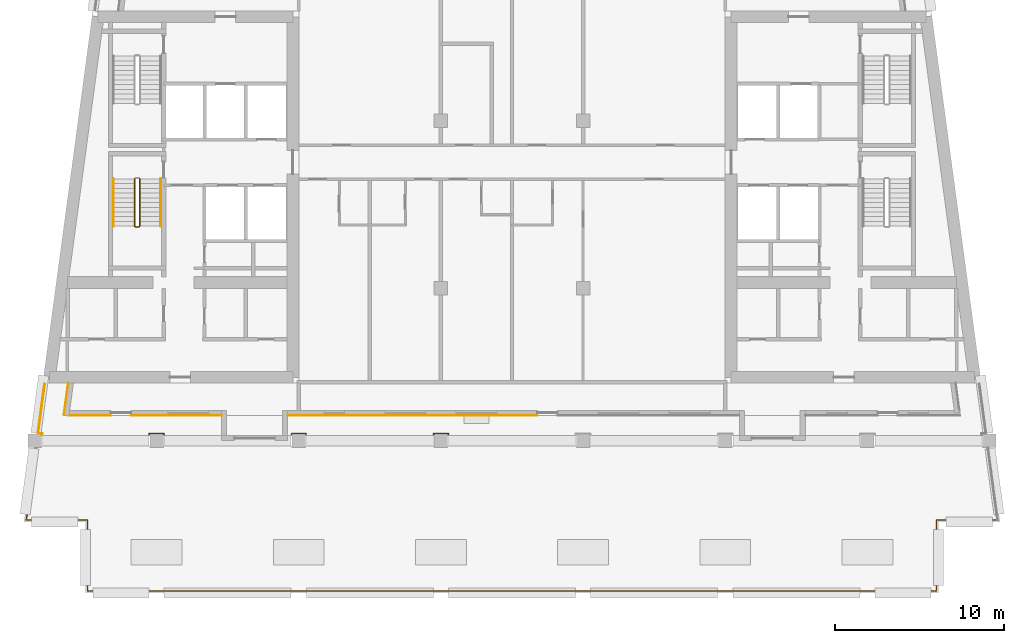
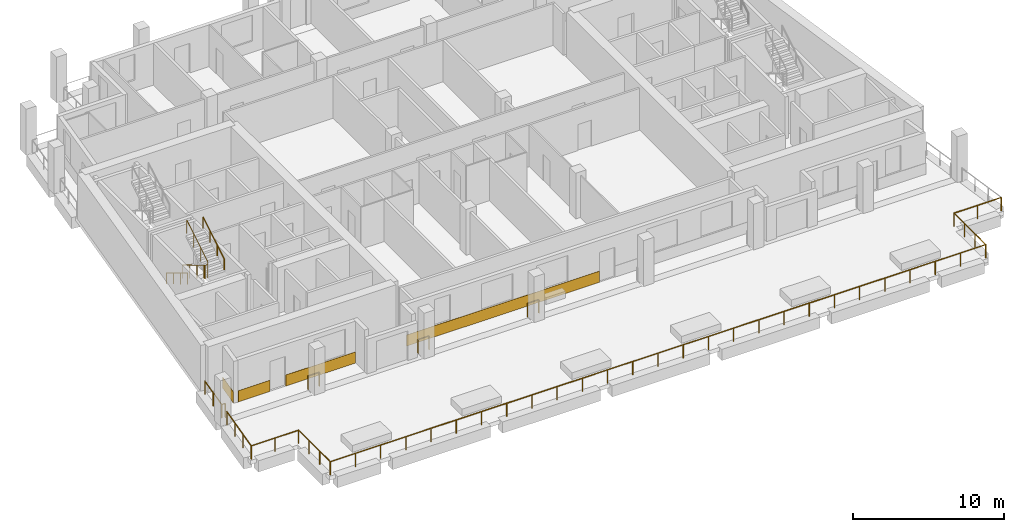
# One storey, part 8 of 12: 8 railings, 4 coverings.
"""IFC4 building model written with IfcOpenShell, lengths in metres."""

from ifc_helpers import new_model, si_unit, direction, frame, origin, origin_2d, place, context, subcontext, project, spatial, rectangle, circle, extrude, material, layer, layer_set, type_object, element, save


model = new_model("IFC4")

# Units and contexts
model_context = context("Model", 3, precision=1e-05, world=origin(), true_north=direction((0.0, 1.0)))
body_context = subcontext(model_context, "Body", "Model", "MODEL_VIEW")
ifc_project = project(units=[si_unit("LENGTHUNIT", "METRE"), si_unit("AREAUNIT", "SQUARE_METRE"), si_unit("VOLUMEUNIT", "CUBIC_METRE"), si_unit("PLANEANGLEUNIT", "RADIAN"), si_unit("MASSUNIT", "GRAM", prefix="KILO")], contexts=[model_context])

# Site, building, storey
site_placement = place(None, origin())
site = spatial("IfcSite", under=ifc_project, at=site_placement, CompositionType="ELEMENT")
building_placement = place(site_placement, origin())
building = spatial("IfcBuilding", under=site, at=building_placement, Name="Candeia Pilgrim Tower and Theatre", CompositionType="ELEMENT")
storey_placement = place(building_placement, frame((0.0, 0.0, 259.0)))
storey = spatial("IfcBuildingStorey", under=building, at=storey_placement, Name="L62", CompositionType="ELEMENT", Elevation=259.0)

# Railings
ifc_material_1 = material(Name="Stainless steel balustrade", Category="steel")
railing_type_1 = type_object("IfcRailingType", Name="G1 loggia guard 1100", PredefinedType="GUARDRAIL", material=ifc_material_1)
for number, where, name in (
    (1, (109.6298828125, 107.35009765625, 0.0), "Guard L62.7"),
    (2, (101.22998046875, 107.35009765625, 0.0), "Guard L62.8"),
):
    element("IfcRailing", number, at=place(storey_placement, frame(where)), inside=storey, type_object=railing_type_1, Name=name, PredefinedType="GUARDRAIL", context=body_context, shape_type="SweptSolid", body=[
        extrude(circle(Radius=0.02392578125, at=origin_2d()), frame((0.0, 0.0, 1.076171875), z_axis=(0.0, 1.0, 0.0), x_axis=(-1.0, 0.0, 0.0)), (0.0, 0.0, 1.0), 0.079833984375),
        extrude(circle(Radius=0.02392578125, at=origin_2d()), frame((0.0, 0.079833984375, 1.076171875), z_axis=(-1.0, 0.0, 0.0), x_axis=(0.0, -1.0, 0.0)), (0.0, 0.0, 1.0), 0.85986328125),
        extrude(circle(Radius=0.02392578125, at=origin_2d()), frame((-0.85986328125, 0.079833984375, 1.076171875), z_axis=(0.0, -1.0, 0.0), x_axis=(1.0, 0.0, 0.0)), (0.0, 0.0, 1.0), 0.079833984375),
        extrude(circle(Radius=0.02099609375, at=origin_2d()), origin(), (0.0, 0.0, 1.0), 1.052001953125),
        extrude(circle(Radius=0.02099609375, at=origin_2d()), frame((0.0, 0.079833984375, 0.0)), (0.0, 0.0, 1.0), 1.052001953125),
        extrude(circle(Radius=0.02099609375, at=origin_2d()), frame((-0.85986328125, 0.079833984375, 0.0)), (0.0, 0.0, 1.0), 1.052001953125),
        extrude(circle(Radius=0.02099609375, at=origin_2d()), frame((-0.85986328125, 0.0, 0.0)), (0.0, 0.0, 1.0), 1.052001953125),
    ])
railing_1_placement = place(storey_placement, frame((92.830078125, 107.35009765625, 0.0)))
element("IfcRailing", 3, at=railing_1_placement, inside=storey, type_object=railing_type_1, Name="Guard L62.9", PredefinedType="GUARDRAIL", context=body_context, shape_type="SweptSolid", body=[
    extrude(circle(Radius=0.02392578125, at=origin_2d()), frame((0.0, 0.0, 1.076171875), z_axis=(0.0, 1.0, 0.0), x_axis=(-1.0, 0.0, 0.0)), (0.0, 0.0, 1.0), 0.079833984375),
    extrude(circle(Radius=0.02392578125, at=origin_2d()), frame((0.0, 0.079833984375, 1.076171875), z_axis=(-1.0, 0.0, 0.0), x_axis=(0.0, -1.0, 0.0)), (0.0, 0.0, 1.0), 0.860107421875),
    extrude(circle(Radius=0.02392578125, at=origin_2d()), frame((-0.860107421875, 0.079833984375, 1.076171875), z_axis=(0.0, -1.0, 0.0), x_axis=(1.0, 0.0, 0.0)), (0.0, 0.0, 1.0), 0.079833984375),
    extrude(circle(Radius=0.02099609375, at=origin_2d()), origin(), (0.0, 0.0, 1.0), 1.052001953125),
    extrude(circle(Radius=0.02099609375, at=origin_2d()), frame((0.0, 0.079833984375, 0.0)), (0.0, 0.0, 1.0), 1.052001953125),
    extrude(circle(Radius=0.02099609375, at=origin_2d()), frame((-0.860107421875, 0.079833984375, 0.0)), (0.0, 0.0, 1.0), 1.052001953125),
    extrude(circle(Radius=0.02099609375, at=origin_2d()), frame((-0.860107421875, 0.0, 0.0)), (0.0, 0.0, 1.0), 1.052001953125),
])
railing_2_placement = place(storey_placement, frame((85.6416015625, 107.35009765625, 0.0)))
element("IfcRailing", 4, at=railing_2_placement, inside=storey, type_object=railing_type_1, Name="Guard L62.10", PredefinedType="GUARDRAIL", context=body_context, shape_type="SweptSolid", body=[
    extrude(circle(Radius=0.02392578125, at=origin_2d()), frame((0.0, 0.0, 1.076171875), z_axis=(0.0, 1.0, 0.0), x_axis=(-1.0, 0.0, 0.0)), (0.0, 0.0, 1.0), 0.079833984375),
    extrude(circle(Radius=0.02392578125, at=origin_2d()), frame((0.0, 0.079833984375, 1.076171875), z_axis=(-1.0, 0.0, 0.0), x_axis=(0.0, -1.0, 0.0)), (0.0, 0.0, 1.0), 0.2509765625),
    extrude(circle(Radius=0.02392578125, at=origin_2d()), frame((-0.2509765625, 0.079833984375, 1.076171875), z_axis=(0.133401056725, 0.991062136329, 0.0), x_axis=(-0.991062136329, 0.133401056725, 0.0)), (0.0, 0.0, 1.0), 2.946533203125),
    extrude(circle(Radius=0.02099609375, at=origin_2d()), origin(), (0.0, 0.0, 1.0), 1.052001953125),
    extrude(circle(Radius=0.02099609375, at=origin_2d()), frame((0.0, 0.079833984375, 0.0)), (0.0, 0.0, 1.0), 1.052001953125),
    extrude(circle(Radius=0.02099609375, at=origin_2d()), frame((-0.2509765625, 0.079833984375, 0.0)), (0.0, 0.0, 1.0), 1.052001953125),
    extrude(circle(Radius=0.02099609375, at=origin_2d()), frame((-0.054443359375, 1.5400390625, 0.0)), (0.0, 0.0, 1.0), 1.052001953125),
    extrude(circle(Radius=0.02099609375, at=origin_2d()), frame((0.14208984375, 3.0, 0.0)), (0.0, 0.0, 1.0), 1.052001953125),
])
railing_3_placement = place(storey_placement, frame((142.097412109375, 102.320068359375, 0.0)))
element("IfcRailing", 5, at=railing_3_placement, inside=storey, type_object=railing_type_1, Name="Terrace guard L62.1", PredefinedType="GUARDRAIL", context=body_context, shape_type="SweptSolid", body=[
    extrude(circle(Radius=0.02392578125, at=origin_2d()), frame((0.0, 0.0, 1.076171875), z_axis=(-1.0, 0.0, 0.0), x_axis=(0.0, -1.0, 0.0)), (0.0, 0.0, 1.0), 3.617431640625),
    extrude(circle(Radius=0.02392578125, at=origin_2d()), frame((-3.617431640625, 0.0, 1.076171875), z_axis=(0.0, -1.0, 0.0), x_axis=(1.0, 0.0, 0.0)), (0.0, 0.0, 1.0), 4.199951171875),
    extrude(circle(Radius=0.02392578125, at=origin_2d()), frame((-3.617431640625, -4.199951171875, 1.076171875), z_axis=(-1.0, 0.0, 0.0), x_axis=(0.0, -1.0, 0.0)), (0.0, 0.0, 1.0), 50.159912109375),
    extrude(circle(Radius=0.02392578125, at=origin_2d()), frame((-53.77734375, -4.199951171875, 1.076171875), z_axis=(0.0, 1.0, 0.0), x_axis=(-1.0, 0.0, 0.0)), (0.0, 0.0, 1.0), 4.199951171875),
    extrude(circle(Radius=0.02392578125, at=origin_2d()), frame((-53.77734375, 0.0, 1.076171875), z_axis=(-1.0, 0.0, 0.0), x_axis=(0.0, -1.0, 0.0)), (0.0, 0.0, 1.0), 3.617431640625),
    extrude(circle(Radius=0.02392578125, at=origin_2d()), frame((-57.394775390625, 0.0, 1.076171875), z_axis=(0.133392564216, 0.991063279419, 0.0), x_axis=(-0.991063279419, 0.133392564216, 0.0)), (0.0, 0.0, 1.0), 4.26806640625),
    extrude(circle(Radius=0.02099609375, at=origin_2d()), origin(), (0.0, 0.0, 1.0), 1.052001953125),
    extrude(circle(Radius=0.02099609375, at=origin_2d()), frame((-1.80859375, 0.0, 0.0)), (0.0, 0.0, 1.0), 1.052001953125),
    extrude(circle(Radius=0.02099609375, at=origin_2d()), frame((-3.617431640625, 0.0, 0.0)), (0.0, 0.0, 1.0), 1.052001953125),
    extrude(circle(Radius=0.02099609375, at=origin_2d()), frame((-3.617431640625, -1.39990234375, 0.0)), (0.0, 0.0, 1.0), 1.052001953125),
    extrude(circle(Radius=0.02099609375, at=origin_2d()), frame((-3.617431640625, -2.800048828125, 0.0)), (0.0, 0.0, 1.0), 1.052001953125),
    extrude(circle(Radius=0.02099609375, at=origin_2d()), frame((-3.617431640625, -4.199951171875, 0.0)), (0.0, 0.0, 1.0), 1.052001953125),
    extrude(circle(Radius=0.02099609375, at=origin_2d()), frame((-5.546630859375, -4.199951171875, 0.0)), (0.0, 0.0, 1.0), 1.052001953125),
    extrude(circle(Radius=0.02099609375, at=origin_2d()), frame((-7.475830078125, -4.199951171875, 0.0)), (0.0, 0.0, 1.0), 1.052001953125),
    extrude(circle(Radius=0.02099609375, at=origin_2d()), frame((-9.405029296875, -4.199951171875, 0.0)), (0.0, 0.0, 1.0), 1.052001953125),
    extrude(circle(Radius=0.02099609375, at=origin_2d()), frame((-11.334228515625, -4.199951171875, 0.0)), (0.0, 0.0, 1.0), 1.052001953125),
    extrude(circle(Radius=0.02099609375, at=origin_2d()), frame((-13.263671875, -4.199951171875, 0.0)), (0.0, 0.0, 1.0), 1.052001953125),
    extrude(circle(Radius=0.02099609375, at=origin_2d()), frame((-15.19287109375, -4.199951171875, 0.0)), (0.0, 0.0, 1.0), 1.052001953125),
    extrude(circle(Radius=0.02099609375, at=origin_2d()), frame((-17.1220703125, -4.199951171875, 0.0)), (0.0, 0.0, 1.0), 1.052001953125),
    extrude(circle(Radius=0.02099609375, at=origin_2d()), frame((-19.05126953125, -4.199951171875, 0.0)), (0.0, 0.0, 1.0), 1.052001953125),
    extrude(circle(Radius=0.02099609375, at=origin_2d()), frame((-20.98046875, -4.199951171875, 0.0)), (0.0, 0.0, 1.0), 1.052001953125),
    extrude(circle(Radius=0.02099609375, at=origin_2d()), frame((-22.90966796875, -4.199951171875, 0.0)), (0.0, 0.0, 1.0), 1.052001953125),
    extrude(circle(Radius=0.02099609375, at=origin_2d()), frame((-24.8388671875, -4.199951171875, 0.0)), (0.0, 0.0, 1.0), 1.052001953125),
    extrude(circle(Radius=0.02099609375, at=origin_2d()), frame((-26.76806640625, -4.199951171875, 0.0)), (0.0, 0.0, 1.0), 1.052001953125),
    extrude(circle(Radius=0.02099609375, at=origin_2d()), frame((-28.697265625, -4.199951171875, 0.0)), (0.0, 0.0, 1.0), 1.052001953125),
    extrude(circle(Radius=0.02099609375, at=origin_2d()), frame((-30.626708984375, -4.199951171875, 0.0)), (0.0, 0.0, 1.0), 1.052001953125),
    extrude(circle(Radius=0.02099609375, at=origin_2d()), frame((-32.555908203125, -4.199951171875, 0.0)), (0.0, 0.0, 1.0), 1.052001953125),
    extrude(circle(Radius=0.02099609375, at=origin_2d()), frame((-34.485107421875, -4.199951171875, 0.0)), (0.0, 0.0, 1.0), 1.052001953125),
    extrude(circle(Radius=0.02099609375, at=origin_2d()), frame((-36.414306640625, -4.199951171875, 0.0)), (0.0, 0.0, 1.0), 1.052001953125),
    extrude(circle(Radius=0.02099609375, at=origin_2d()), frame((-38.343505859375, -4.199951171875, 0.0)), (0.0, 0.0, 1.0), 1.052001953125),
    extrude(circle(Radius=0.02099609375, at=origin_2d()), frame((-40.272705078125, -4.199951171875, 0.0)), (0.0, 0.0, 1.0), 1.052001953125),
    extrude(circle(Radius=0.02099609375, at=origin_2d()), frame((-42.201904296875, -4.199951171875, 0.0)), (0.0, 0.0, 1.0), 1.052001953125),
    extrude(circle(Radius=0.02099609375, at=origin_2d()), frame((-44.131103515625, -4.199951171875, 0.0)), (0.0, 0.0, 1.0), 1.052001953125),
    extrude(circle(Radius=0.02099609375, at=origin_2d()), frame((-46.060546875, -4.199951171875, 0.0)), (0.0, 0.0, 1.0), 1.052001953125),
    extrude(circle(Radius=0.02099609375, at=origin_2d()), frame((-47.98974609375, -4.199951171875, 0.0)), (0.0, 0.0, 1.0), 1.052001953125),
    extrude(circle(Radius=0.02099609375, at=origin_2d()), frame((-49.9189453125, -4.199951171875, 0.0)), (0.0, 0.0, 1.0), 1.052001953125),
    extrude(circle(Radius=0.02099609375, at=origin_2d()), frame((-51.84814453125, -4.199951171875, 0.0)), (0.0, 0.0, 1.0), 1.052001953125),
    extrude(circle(Radius=0.02099609375, at=origin_2d()), frame((-53.77734375, -4.199951171875, 0.0)), (0.0, 0.0, 1.0), 1.052001953125),
    extrude(circle(Radius=0.02099609375, at=origin_2d()), frame((-53.77734375, -2.800048828125, 0.0)), (0.0, 0.0, 1.0), 1.052001953125),
    extrude(circle(Radius=0.02099609375, at=origin_2d()), frame((-53.77734375, -1.39990234375, 0.0)), (0.0, 0.0, 1.0), 1.052001953125),
    extrude(circle(Radius=0.02099609375, at=origin_2d()), frame((-53.77734375, 0.0, 0.0)), (0.0, 0.0, 1.0), 1.052001953125),
    extrude(circle(Radius=0.02099609375, at=origin_2d()), frame((-55.5859375, 0.0, 0.0)), (0.0, 0.0, 1.0), 1.052001953125),
    extrude(circle(Radius=0.02099609375, at=origin_2d()), frame((-57.394775390625, 0.0, 0.0)), (0.0, 0.0, 1.0), 1.052001953125),
    extrude(circle(Radius=0.02099609375, at=origin_2d()), frame((-57.205078125, 1.409912109375, 0.0)), (0.0, 0.0, 1.0), 1.052001953125),
    extrude(circle(Radius=0.02099609375, at=origin_2d()), frame((-57.01513671875, 2.820068359375, 0.0)), (0.0, 0.0, 1.0), 1.052001953125),
    extrude(circle(Radius=0.02099609375, at=origin_2d()), frame((-56.825439453125, 4.22998046875, 0.0)), (0.0, 0.0, 1.0), 1.052001953125),
])

# Coverings
ifc_material_2 = material(Name="Glazed ceramic tile bottle green")
ifc_layer = layer(ifc_material_2, 0.02001953125)
ifc_layer_set = layer_set([ifc_layer], Name="Glazed ceramic tile bottle green")
covering_type = type_object("IfcCoveringType", Name="Glazed ceramic tile bottle green", PredefinedType="CLADDING", material=ifc_layer_set)
covering_1_placement = place(storey_placement, frame((87.04638671875, 109.46142578125, 0.0), z_axis=(0.0, 0.0, 1.0), x_axis=(-0.133412012145, -0.991060661622, 0.0)))
element("IfcCovering", 6, at=covering_1_placement, inside=storey, type_object=covering_type, Name="Tile cladding bottle green L62", PredefinedType="CLADDING", context=body_context, shape_type="SweptSolid", body=[
    extrude(rectangle(XDim=1.937255859375, YDim=0.02001953125, at=origin_2d()), origin(), (0.0, 0.0, 1.0), 0.89990234375),
])
covering_2_placement = place(storey_placement, frame((88.484375, 108.489990234375, 0.0), z_axis=(0.0, 0.0, 1.0), x_axis=(1.0, 0.0, 0.0)))
element("IfcCovering", 7, at=covering_2_placement, inside=storey, type_object=covering_type, Name="Tile cladding bottle green L62", PredefinedType="CLADDING", context=body_context, shape_type="SweptSolid", body=[
    extrude(rectangle(XDim=2.431396484375, YDim=0.02001953125, at=origin_2d()), origin(), (0.0, 0.0, 1.0), 0.89990234375),
])
covering_3_placement = place(storey_placement, frame((93.571044921875, 108.489990234375, 0.0), z_axis=(0.0, 0.0, 1.0), x_axis=(1.0, 0.0, 0.0)))
element("IfcCovering", 8, at=covering_3_placement, inside=storey, type_object=covering_type, Name="Tile cladding bottle green L62", PredefinedType="CLADDING", context=body_context, shape_type="SweptSolid", body=[
    extrude(rectangle(XDim=5.342041015625, YDim=0.02001953125, at=origin_2d()), origin(), (0.0, 0.0, 1.0), 0.89990234375),
])
covering_4_placement = place(storey_placement, frame((107.52099609375, 108.489990234375, 0.0), z_axis=(0.0, 0.0, 1.0), x_axis=(1.0, 0.0, 0.0)))
element("IfcCovering", 9, at=covering_4_placement, inside=storey, type_object=covering_type, Name="Tile cladding bottle green L62", PredefinedType="CLADDING", context=body_context, shape_type="SweptSolid", body=[
    extrude(rectangle(XDim=14.7578125, YDim=0.02001953125, at=origin_2d()), origin(), (0.0, 0.0, 1.0), 0.89990234375),
])

# Railings
railing_type_2 = type_object("IfcRailingType", Name="RL-GUARD-1100", PredefinedType="GUARDRAIL", material=ifc_material_1)
railing_4_placement = place(storey_placement, frame((91.10205078125, 122.47509765625, 0.168212890625)))
element("IfcRailing", 10, at=railing_4_placement, inside=storey, type_object=railing_type_2, Name="L62 ST1 stair guard 1", PredefinedType="GUARDRAIL", context=body_context, shape_type="SweptSolid", body=[
    extrude(circle(Radius=0.02392578125, at=origin_2d()), frame((0.0, 0.0, 1.076171875), z_axis=(0.0, -0.857242210791, 0.514913383045), x_axis=(1.0, 0.0, 0.0)), (0.0, 0.0, 1.0), 3.266357421875),
    extrude(circle(Radius=0.02392578125, at=origin_2d()), frame((0.0, -2.800048828125, 2.7578125), z_axis=(0.707106781187, -0.707106781187, 0.0), x_axis=(0.707106781187, 0.707106781187, 0.0)), (0.0, 0.0, 1.0), 0.07080078125),
    extrude(circle(Radius=0.02392578125, at=origin_2d()), frame((0.050048828125, -2.85009765625, 2.7578125), z_axis=(1.0, 0.0, 0.0), x_axis=(0.0, 1.0, 0.0)), (0.0, 0.0, 1.0), 0.199951171875),
    extrude(circle(Radius=0.02392578125, at=origin_2d()), frame((0.25, -2.85009765625, 2.7578125), z_axis=(0.274582412415, 0.274582412415, 0.921525364591), x_axis=(-0.707106781187, 0.707106781187, 0.0)), (0.0, 0.0, 1.0), 0.182373046875),
    extrude(circle(Radius=0.02392578125, at=origin_2d()), frame((0.300048828125, -2.800048828125, 2.92578125), z_axis=(0.0, 0.857242210791, 0.514913383045), x_axis=(-1.0, 0.0, 0.0)), (0.0, 0.0, 1.0), 3.266357421875),
    extrude(circle(Radius=0.02099609375, at=origin_2d()), origin(), (0.0, 0.0, 1.0), 1.052001953125),
    extrude(circle(Radius=0.02099609375, at=origin_2d()), frame((0.0, -0.933349609375, 0.560546875)), (0.0, 0.0, 1.0), 1.052001953125),
    extrude(circle(Radius=0.02099609375, at=origin_2d()), frame((0.0, -1.86669921875, 1.121337890625)), (0.0, 0.0, 1.0), 1.052001953125),
    extrude(circle(Radius=0.02099609375, at=origin_2d()), frame((0.0, -2.800048828125, 1.681884765625)), (0.0, 0.0, 1.0), 1.052001953125),
    extrude(circle(Radius=0.02099609375, at=origin_2d()), frame((0.050048828125, -2.85009765625, 1.681884765625)), (0.0, 0.0, 1.0), 1.052001953125),
    extrude(circle(Radius=0.02099609375, at=origin_2d()), frame((0.25, -2.85009765625, 1.681884765625)), (0.0, 0.0, 1.0), 1.052001953125),
    extrude(circle(Radius=0.02099609375, at=origin_2d()), frame((0.300048828125, -2.800048828125, 1.849853515625)), (0.0, 0.0, 1.0), 1.052001953125),
    extrude(circle(Radius=0.02099609375, at=origin_2d()), frame((0.300048828125, -1.86669921875, 2.410400390625)), (0.0, 0.0, 1.0), 1.052001953125),
    extrude(circle(Radius=0.02099609375, at=origin_2d()), frame((0.300048828125, -0.933349609375, 2.97119140625)), (0.0, 0.0, 1.0), 1.052001953125),
    extrude(circle(Radius=0.02099609375, at=origin_2d()), frame((0.300048828125, 0.0, 3.53173828125)), (0.0, 0.0, 1.0), 1.052001953125),
])
ifc_material_3 = material(Name="Stainless steel handrail", Category="steel")
railing_type_3 = type_object("IfcRailingType", Name="RL-HANDRAIL-900", PredefinedType="HANDRAIL", material=ifc_material_3)
railing_5_placement = place(storey_placement, frame((89.85205078125, 122.47509765625, 0.168212890625)))
element("IfcRailing", 11, at=railing_5_placement, inside=storey, type_object=railing_type_3, Name="L62 ST1 stair handrail 1", PredefinedType="HANDRAIL", context=body_context, shape_type="SweptSolid", body=[
    extrude(circle(Radius=0.02392578125, at=origin_2d()), frame((0.0, 0.0, 0.8759765625), z_axis=(0.0, -0.857242210791, 0.514913383045), x_axis=(1.0, 0.0, 0.0)), (0.0, 0.0, 1.0), 3.266357421875),
    extrude(circle(Radius=0.02099609375, at=origin_2d()), origin(), (0.0, 0.0, 1.0), 0.851806640625),
    extrude(circle(Radius=0.02099609375, at=origin_2d()), frame((0.0, -0.933349609375, 0.560546875)), (0.0, 0.0, 1.0), 0.851806640625),
    extrude(circle(Radius=0.02099609375, at=origin_2d()), frame((0.0, -1.86669921875, 1.121337890625)), (0.0, 0.0, 1.0), 0.851806640625),
    extrude(circle(Radius=0.02099609375, at=origin_2d()), frame((0.0, -2.800048828125, 1.681884765625)), (0.0, 0.0, 1.0), 0.851806640625),
])
railing_6_placement = place(storey_placement, frame((92.652099609375, 119.675048828125, 2.01806640625)))
element("IfcRailing", 12, at=railing_6_placement, inside=storey, type_object=railing_type_3, Name="L62 ST1 stair handrail 2", PredefinedType="HANDRAIL", context=body_context, shape_type="SweptSolid", body=[
    extrude(circle(Radius=0.02392578125, at=origin_2d()), frame((0.0, 0.0, 0.8759765625), z_axis=(0.0, 0.857242210791, 0.514913383045), x_axis=(-1.0, 0.0, 0.0)), (0.0, 0.0, 1.0), 3.266357421875),
    extrude(circle(Radius=0.02099609375, at=origin_2d()), origin(), (0.0, 0.0, 1.0), 0.851806640625),
    extrude(circle(Radius=0.02099609375, at=origin_2d()), frame((0.0, 0.933349609375, 0.560546875)), (0.0, 0.0, 1.0), 0.851806640625),
    extrude(circle(Radius=0.02099609375, at=origin_2d()), frame((0.0, 1.86669921875, 1.121337890625)), (0.0, 0.0, 1.0), 0.851806640625),
    extrude(circle(Radius=0.02099609375, at=origin_2d()), frame((0.0, 2.800048828125, 1.681884765625)), (0.0, 0.0, 1.0), 0.851806640625),
])

save(model, "model.ifc")
